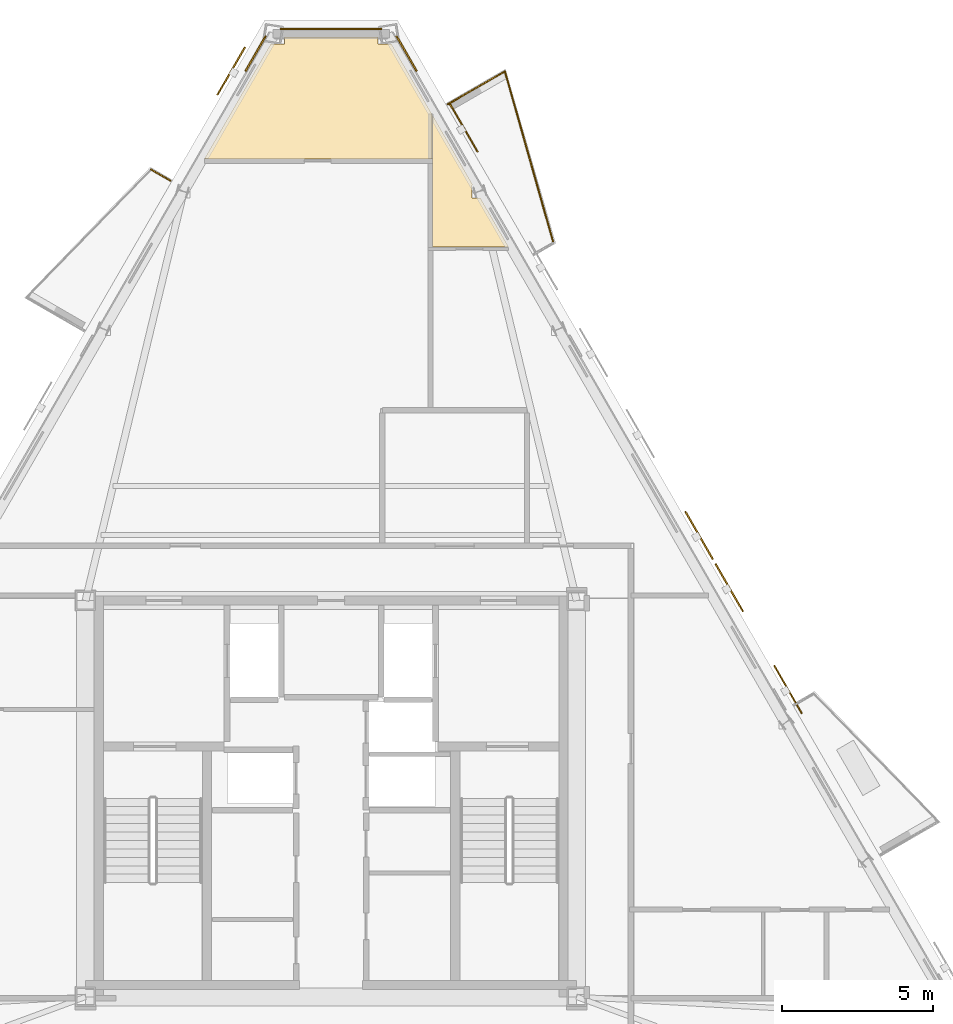
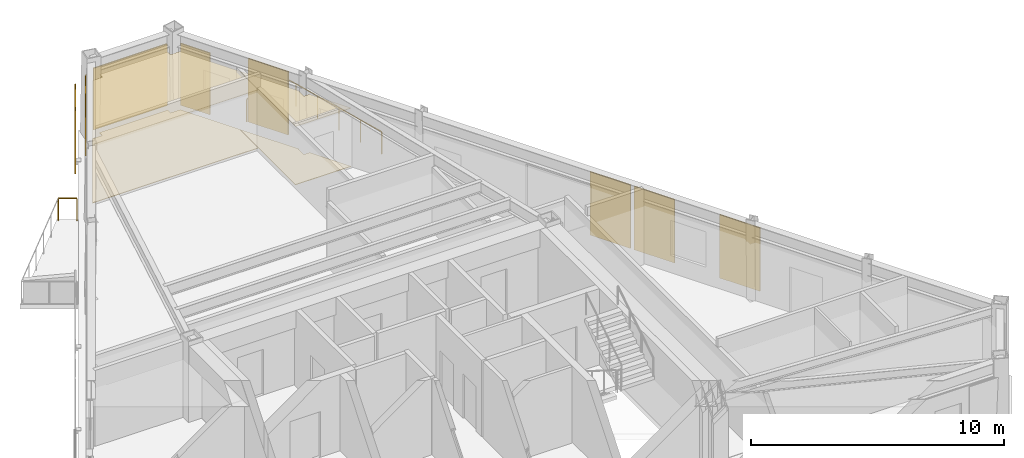
# One storey, part 9 of 9: 7 coverings, 5 shading devices, 3 railings.
"""IFC4 building model written with IfcOpenShell, lengths in metres."""

from ifc_helpers import new_model, si_unit, direction, frame, origin, origin_2d, place, context, subcontext, project, spatial, polyline, rectangle, circle, outline, extrude, material, layer, layer_set, type_object, element, save


model = new_model("IFC4")

# Units and contexts
model_context = context("Model", 3, precision=1e-05, world=origin(), true_north=direction((0.0, 1.0)))
body_context = subcontext(model_context, "Body", "Model", "MODEL_VIEW")
ifc_project = project(units=[si_unit("LENGTHUNIT", "METRE"), si_unit("AREAUNIT", "SQUARE_METRE"), si_unit("VOLUMEUNIT", "CUBIC_METRE"), si_unit("PLANEANGLEUNIT", "RADIAN"), si_unit("MASSUNIT", "GRAM", prefix="KILO")], contexts=[model_context])

# Site, building, storey
site_placement = place(None, origin())
site = spatial("IfcSite", under=ifc_project, at=site_placement, CompositionType="ELEMENT")
building_placement = place(site_placement, origin())
building = spatial("IfcBuilding", under=site, at=building_placement, Name="Oramaril Tower", CompositionType="ELEMENT")
storey_placement = place(building_placement, frame((0.0, 0.0, 301.199951171875)))
storey = spatial("IfcBuildingStorey", under=building, at=storey_placement, Name="L79", CompositionType="ELEMENT", Elevation=301.199951171875)

# Coverings
ifc_material_1 = material(Name="Mineral Fibre Acoustic Ceiling")
ifc_layer_1 = layer(ifc_material_1, 0.02001953125)
ifc_layer_set_1 = layer_set([ifc_layer_1], Name="CVT-CEIL")
covering_type_1 = type_object("IfcCoveringType", Name="CVT-CEIL", PredefinedType="CEILING", material=ifc_layer_set_1)
covering_1_placement = place(storey_placement, frame((0.0, 0.0, 2.81201171875)))
element("IfcCovering", 1, at=covering_1_placement, inside=storey, type_object=covering_type_1, Name="L79 Acoustic Suspended Ceiling 14", PredefinedType="CEILING", context=body_context, shape_type="SweptSolid", body=[
    extrude(outline(polyline([(39.05322265625, 42.628173828125), (39.497802734375, 42.628173828125), (40.842041015625, 40.2998046875), (40.842041015625, 38.80224609375), (33.293212890625, 38.80224609375), (35.502197265625, 42.628173828125), (35.94677734375, 42.628173828125), (35.94677734375, 42.849365234375), (39.05322265625, 42.849365234375), (39.05322265625, 42.628173828125)])), origin(), (0.0, 0.0, 1.0), 0.02001953125),
])
covering_2_placement = place(storey_placement, frame((0.0, 0.0, 2.81201171875)))
element("IfcCovering", 2, at=covering_2_placement, inside=storey, type_object=covering_type_1, Name="L79 Acoustic Suspended Ceiling 16", PredefinedType="CEILING", context=body_context, shape_type="SweptSolid", body=[
    extrude(outline(polyline([(42.182861328125, 37.94580078125), (42.182861328125, 37.517578125), (42.448486328125, 37.517578125), (43.394287109375, 35.87939453125), (40.862060546875, 35.87939453125), (40.862060546875, 38.7822265625), (40.86181640625, 38.7841796875), (40.861572265625, 38.7861328125), (40.861083984375, 38.7880859375), (40.860595703125, 38.789794921875), (40.859619140625, 38.79150390625), (40.859375, 38.792236328125), (40.859619140625, 38.792724609375), (40.860595703125, 38.79443359375), (40.861083984375, 38.79638671875), (40.861572265625, 38.79833984375), (40.86181640625, 38.80029296875), (40.862060546875, 38.80224609375), (40.862060546875, 40.26513671875), (42.201171875, 37.94580078125), (42.182861328125, 37.94580078125)])), origin(), (0.0, 0.0, 1.0), 0.02001953125),
])
ifc_material_2 = material(Name="Warm Cream Limestone", Category="masonry")
ifc_layer_2 = layer(ifc_material_2, 0.050048828125)
ifc_layer_set_2 = layer_set([ifc_layer_2], Name="CVT-CLD")
covering_type_2 = type_object("IfcCoveringType", Name="CVT-CLD", PredefinedType="CLADDING", material=ifc_layer_set_2)
covering_3_placement = place(storey_placement, frame((40.0029296875, 42.305419921875, 0.0400390625), z_axis=(0.0, 0.0, 1.0), x_axis=(-0.500001511499, 0.866024531118, 0.0)))
element("IfcCovering", 3, at=covering_3_placement, inside=storey, type_object=covering_type_2, Name="L79 Warm Cream Limestone Cladding", PredefinedType="CLADDING", context=body_context, shape_type="SweptSolid", body=[
    extrude(rectangle(XDim=1.35009765625, YDim=0.050048828125, at=origin_2d()), origin(), (0.0, 0.0, 1.0), 2.97802734375),
])
covering_4_placement = place(storey_placement, frame((37.5, 43.12548828125, 0.0400390625), z_axis=(0.0, 0.0, 1.0), x_axis=(-1.0, 0.0, 0.0)))
element("IfcCovering", 4, at=covering_4_placement, inside=storey, type_object=covering_type_2, Name="L79 Warm Cream Limestone Cladding", PredefinedType="CLADDING", context=body_context, shape_type="SweptSolid", body=[
    extrude(rectangle(XDim=3.36474609375, YDim=0.050048828125, at=origin_2d()), origin(), (0.0, 0.0, 1.0), 2.97802734375),
])
covering_5_placement = place(storey_placement, frame((34.9970703125, 42.305419921875, 0.0400390625), z_axis=(0.0, 0.0, 1.0), x_axis=(-0.500001511499, -0.866024531118, 0.0)))
element("IfcCovering", 5, at=covering_5_placement, inside=storey, type_object=covering_type_2, Name="L79 Warm Cream Limestone Cladding", PredefinedType="CLADDING", context=body_context, shape_type="SweptSolid", body=[
    extrude(rectangle(XDim=1.35009765625, YDim=0.050048828125, at=origin_2d()), origin(), (0.0, 0.0, 1.0), 2.97802734375),
])
ifc_material_3 = material(Name="Honed Quartzite Stone Flooring", Category="masonry")
ifc_layer_3 = layer(ifc_material_3, 0.02490234375)
ifc_layer_set_3 = layer_set([ifc_layer_3], Name="CVT-FLR")
covering_type_3 = type_object("IfcCoveringType", Name="CVT-FLR", PredefinedType="FLOORING", material=ifc_layer_set_3)
covering_6_placement = place(storey_placement, origin())
element("IfcCovering", 6, at=covering_6_placement, inside=storey, type_object=covering_type_3, Name="L79 Honed Stone Floor Finish 14", PredefinedType="FLOORING", context=body_context, shape_type="SweptSolid", body=[
    extrude(outline(polyline([(39.05322265625, 42.628173828125), (39.497802734375, 42.628173828125), (40.842041015625, 40.2998046875), (40.842041015625, 38.80224609375), (33.293212890625, 38.80224609375), (35.502197265625, 42.628173828125), (35.94677734375, 42.628173828125), (35.94677734375, 42.849365234375), (39.05322265625, 42.849365234375), (39.05322265625, 42.628173828125)])), origin(), (0.0, 0.0, 1.0), 0.025146484375),
])
covering_7_placement = place(storey_placement, origin())
element("IfcCovering", 7, at=covering_7_placement, inside=storey, type_object=covering_type_3, Name="L79 Honed Stone Floor Finish 16", PredefinedType="FLOORING", context=body_context, shape_type="SweptSolid", body=[
    extrude(outline(polyline([(42.182861328125, 37.94580078125), (42.182861328125, 37.517578125), (42.448486328125, 37.517578125), (43.394287109375, 35.87939453125), (40.862060546875, 35.87939453125), (40.862060546875, 38.7822265625), (40.86181640625, 38.7841796875), (40.861572265625, 38.7861328125), (40.861083984375, 38.7880859375), (40.860595703125, 38.789794921875), (40.859619140625, 38.79150390625), (40.859375, 38.792236328125), (40.859619140625, 38.792724609375), (40.860595703125, 38.79443359375), (40.861083984375, 38.79638671875), (40.861572265625, 38.79833984375), (40.86181640625, 38.80029296875), (40.862060546875, 38.80224609375), (40.862060546875, 40.26513671875), (42.201171875, 37.94580078125), (42.182861328125, 37.94580078125)])), origin(), (0.0, 0.0, 1.0), 0.025146484375),
])

# Railings
ifc_material_4 = material(Name="Stainless Steel 316L", Category="steel")
railing_type = type_object("IfcRailingType", Name="RLT-GRD", PredefinedType="GUARDRAIL", material=ifc_material_4)
railing_1_placement = place(storey_placement, frame((41.36962890625, 40.6181640625, 0.0)))
element("IfcRailing", 8, at=railing_1_placement, inside=storey, type_object=railing_type, Name="L79 Balcony Guardrail L79-BAL-NE2.1", PredefinedType="GUARDRAIL", context=body_context, shape_type="SweptSolid", body=[
    extrude(circle(Radius=0.02392578125, at=origin_2d()), frame((0.0, 0.0, 1.076171875), z_axis=(0.866020500697, 0.5000084923, 0.0), x_axis=(-0.5000084923, 0.866020500697, 0.0)), (0.0, 0.0, 1.0), 2.19189453125),
    extrude(circle(Radius=0.02099609375, at=origin_2d()), origin(), (0.0, 0.0, 1.0), 1.052001953125),
    extrude(circle(Radius=0.02099609375, at=origin_2d()), frame((0.94921875, 0.5478515625, 0.0)), (0.0, 0.0, 1.0), 1.052001953125),
    extrude(circle(Radius=0.02099609375, at=origin_2d()), frame((1.898193359375, 1.095947265625, 0.0)), (0.0, 0.0, 1.0), 1.052001953125),
])
railing_2_placement = place(storey_placement, frame((43.267822265625, 41.714111328125, 0.0)))
element("IfcRailing", 9, at=railing_2_placement, inside=storey, type_object=railing_type, Name="L79 Balcony Guardrail L79-BAL-NE2.2", PredefinedType="GUARDRAIL", context=body_context, shape_type="SweptSolid", body=[
    extrude(circle(Radius=0.02392578125, at=origin_2d()), frame((0.0, 0.0, 1.076171875), z_axis=(0.272287109361, -0.962216051662, 0.0), x_axis=(0.962216051662, 0.272287109361, 0.0)), (0.0, 0.0, 1.0), 5.91064453125),
    extrude(circle(Radius=0.02099609375, at=origin_2d()), origin(), (0.0, 0.0, 1.0), 1.052001953125),
    extrude(circle(Radius=0.02099609375, at=origin_2d()), frame((0.32177734375, -1.137451171875, 0.0)), (0.0, 0.0, 1.0), 1.052001953125),
    extrude(circle(Radius=0.02099609375, at=origin_2d()), frame((0.643798828125, -2.27490234375, 0.0)), (0.0, 0.0, 1.0), 1.052001953125),
    extrude(circle(Radius=0.02099609375, at=origin_2d()), frame((0.965576171875, -3.412353515625, 0.0)), (0.0, 0.0, 1.0), 1.052001953125),
    extrude(circle(Radius=0.02099609375, at=origin_2d()), frame((1.28759765625, -4.5498046875, 0.0)), (0.0, 0.0, 1.0), 1.052001953125),
    extrude(circle(Radius=0.02099609375, at=origin_2d()), frame((1.609375, -5.687255859375, 0.0)), (0.0, 0.0, 1.0), 1.052001953125),
])
railing_3_placement = place(storey_placement, frame((31.525390625, 38.4560546875, 0.0)))
element("IfcRailing", 10, at=railing_3_placement, inside=storey, type_object=railing_type, Name="L79 Balcony Guardrail L79-BAL-NW1.3", PredefinedType="GUARDRAIL", context=body_context, shape_type="SweptSolid", body=[
    extrude(circle(Radius=0.02392578125, at=origin_2d()), frame((0.0, 0.0, 1.076171875), z_axis=(0.865966403178, -0.500102178127, 0.0), x_axis=(0.500102178127, 0.865966403178, 0.0)), (0.0, 0.0, 1.0), 0.741943359375),
    extrude(circle(Radius=0.02099609375, at=origin_2d()), origin(), (0.0, 0.0, 1.0), 1.052001953125),
    extrude(circle(Radius=0.02099609375, at=origin_2d()), frame((0.642578125, -0.37109375, 0.0)), (0.0, 0.0, 1.0), 1.052001953125),
])

# Shading devices
for number, where, z_axis, x_axis, name in (
    (11, (52.66259765625, 21.201904296875, -0.02001953125), (0.0, 0.0, 1.0), (-0.500001511499, 0.866024531118, 0.0), "L79 Perforated Ceramic Solar Screen"),
    (12, (50.712646484375, 24.579345703125, -0.02001953125), (0.0, 0.0, 1.0), (-0.500001511499, 0.866024531118, 0.0), "L79 Perforated Ceramic Solar Screen"),
    (13, (41.90673828125, 39.831787109375, -0.02001953125), (0.0, 0.0, 1.0), (-0.500001511499, 0.866024531118, 0.0), "L79 Perforated Ceramic Solar Screen"),
    (14, (49.708984375, 26.317626953125, -0.02001953125), (0.0, 0.0, 1.0), (-0.500001511499, 0.866024531118, 0.0), "L79 Perforated Ceramic Solar Screen"),
    (15, (34.183349609375, 41.7197265625, -0.02001953125), (0.0, 0.0, 1.0), (-0.500001511499, -0.866024531118, 0.0), "L79 Perforated Ceramic Solar Screen"),
):
    element("IfcShadingDevice", number, at=place(storey_placement, frame(where, z_axis=z_axis, x_axis=x_axis)), inside=storey, Name=name, ObjectType="SCREEN", PredefinedType="USERDEFINED", context=body_context, shape_type="SweptSolid", body=[
        extrude(rectangle(XDim=1.8330078125, YDim=0.050048828125, at=origin_2d()), origin(), (0.0, 0.0, 1.0), 3.05810546875),
    ])

save(model, "model.ifc")
